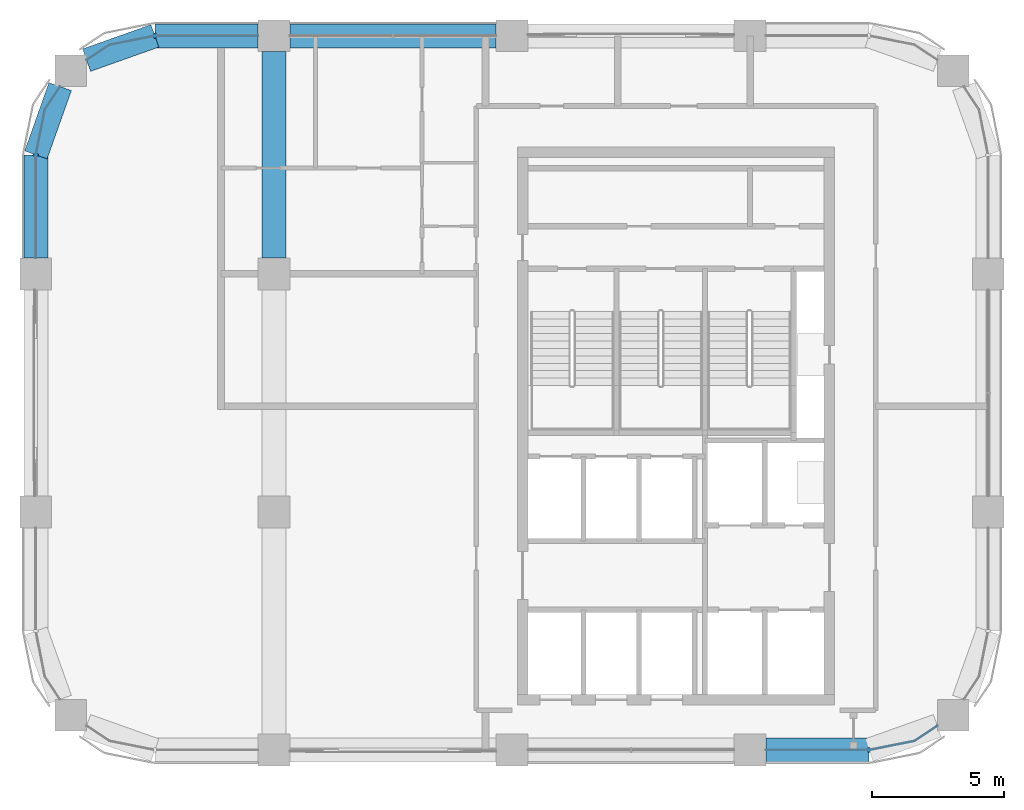
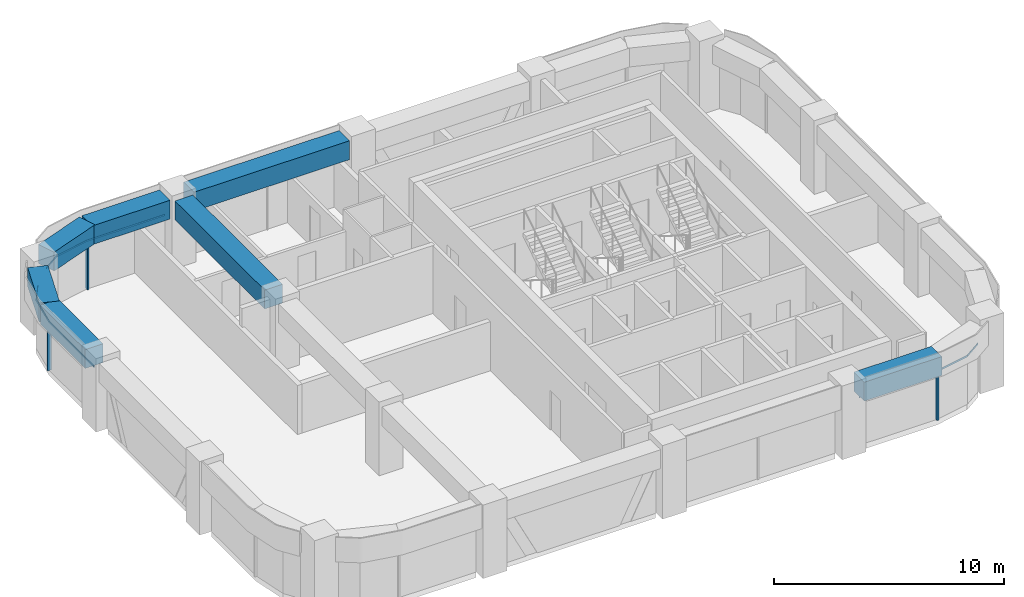
# One storey, part 3 of 10: 7 beams, 6 members, 3 elements without a shape of their own.
"""IFC4 building model written with IfcOpenShell, lengths in metres."""

from ifc_helpers import new_model, si_unit, direction, frame, origin, origin_2d, place, context, subcontext, project, spatial, polyline, rectangle, outline, extrude, material, material_profile, profile_set, type_object, element, aggregate, save


model = new_model("IFC4")

# Units and contexts
model_context = context("Model", 3, precision=1e-05, world=origin(), true_north=direction((0.0, 1.0)))
body_context = subcontext(model_context, "Body", "Model", "MODEL_VIEW")
ifc_project = project(units=[si_unit("LENGTHUNIT", "METRE"), si_unit("AREAUNIT", "SQUARE_METRE"), si_unit("VOLUMEUNIT", "CUBIC_METRE"), si_unit("PLANEANGLEUNIT", "RADIAN"), si_unit("MASSUNIT", "GRAM", prefix="KILO")], contexts=[model_context])

# Site, building, storey
site_placement = place(None, origin())
site = spatial("IfcSite", under=ifc_project, at=site_placement, CompositionType="ELEMENT")
building_placement = place(site_placement, origin())
building = spatial("IfcBuilding", under=site, at=building_placement, Name="Tessera Arch", CompositionType="ELEMENT")
storey_placement = place(building_placement, frame((0.0, 0.0, 261.800048828125)))
storey = spatial("IfcBuildingStorey", under=building, at=storey_placement, Name="L63", CompositionType="ELEMENT", Elevation=261.800048828125)

# Curtain wall, member
ifc_material_1 = material(Name="CW2 curtain wall")
curtain_wall_type = type_object("IfcCurtainWallType", Name="CW2 curtain wall", PredefinedType="NOTDEFINED", material=ifc_material_1)
curtain_wall_1_placement = place(storey_placement, origin())
curtain_wall_1 = element("IfcCurtainWall", 1, at=curtain_wall_1_placement, inside=storey, type_object=curtain_wall_type, Name="CW2 curtain wall N54.18/3 L63", PredefinedType="NOTDEFINED")
ifc_material_2 = material(Name="Anodised aluminium pale metal", Category="aluminium")
ifc_material_profile_1 = material_profile(ifc_material_2, rectangle(XDim=0.199951171875, YDim=0.080078125, at=origin_2d()), Name="AL 80x200")
ifc_profile_set_1 = profile_set([ifc_material_profile_1], Name="Anodised aluminium pale metal")
member_type_1 = type_object("IfcMemberType", Name="CW2 mullion", PredefinedType="MULLION", material=ifc_profile_set_1)
member_1_placement = place(storey_placement, frame((22.5, 54.0, 0.0), z_axis=(0.0, 0.0, 1.0), x_axis=(0.0, -1.0, 0.0)))
member_1 = element("IfcMember", 2, at=member_1_placement, type_object=member_type_1, Name="CW2 mullion N54.18/3 1", PredefinedType="MULLION", context=body_context, shape_type="SweptSolid", body=[
    extrude(rectangle(XDim=0.199951171875, YDim=0.080078125, at=origin_2d()), origin(), (0.0, 0.0, 1.0), 2.5),
])

curtain_wall_2_placement = place(storey_placement, origin())
curtain_wall_2 = element("IfcCurtainWall", 3, at=curtain_wall_2_placement, inside=storey, type_object=curtain_wall_type, Name="CW2 curtain wall W18.27/0 L63", PredefinedType="NOTDEFINED")
member_2_placement = place(storey_placement, frame((18.0, 49.5, 0.0), z_axis=(0.0, 0.0, 1.0), x_axis=(1.0, 0.0, 0.0)))
member_2 = element("IfcMember", 4, at=member_2_placement, type_object=member_type_1, Name="CW2 mullion W18.27/0 1", PredefinedType="MULLION", context=body_context, shape_type="SweptSolid", body=[
    extrude(rectangle(XDim=0.199951171875, YDim=0.080078125, at=origin_2d()), origin(), (0.0, 0.0, 1.0), 2.5),
])

curtain_wall_3_placement = place(storey_placement, origin())
curtain_wall_3 = element("IfcCurtainWall", 5, at=curtain_wall_3_placement, inside=storey, type_object=curtain_wall_type, Name="CW2 curtain wall S27.18/3 L63", PredefinedType="NOTDEFINED")
member_3_placement = place(storey_placement, frame((49.5, 27.0, 0.0), z_axis=(0.0, 0.0, 1.0), x_axis=(0.0, 1.0, 0.0)))
member_3 = element("IfcMember", 6, at=member_3_placement, type_object=member_type_1, Name="CW2 mullion S27.18/3 1", PredefinedType="MULLION", context=body_context, shape_type="SweptSolid", body=[
    extrude(rectangle(XDim=0.199951171875, YDim=0.080078125, at=origin_2d()), origin(), (0.0, 0.0, 1.0), 2.5),
])

# Member
ifc_material_3 = material(Name="Anodised aluminium pale metal", Category="aluminium")
ifc_material_profile_2 = material_profile(ifc_material_3, rectangle(XDim=0.199951171875, YDim=0.10009765625, at=origin_2d()), Name="AL 200x100")
ifc_profile_set_2 = profile_set([ifc_material_profile_2], Name="Anodised aluminium pale metal")
member_type_2 = type_object("IfcMemberType", Name="CW2 transom", PredefinedType="USERDEFINED", material=ifc_profile_set_2)
member_4_placement = place(storey_placement, frame((0.0, 0.0, 2.5)))
member_4 = element("IfcMember", 7, at=member_4_placement, type_object=member_type_2, Name="CW2 transom N54.18/3 1", ObjectType="TRANSOM", PredefinedType="USERDEFINED", context=body_context, shape_type="SweptSolid", body=[
    extrude(outline(polyline([(22.5009765625, 53.989990234375), (26.39990234375, 53.989990234375), (26.39990234375, 54.010009765625), (22.4990234375, 54.010009765625), (20.77392578125, 53.6669921875), (19.912353515625, 53.09130859375), (19.923583984375, 53.07470703125), (20.78173828125, 53.648193359375), (22.5009765625, 53.989990234375)])), origin(), (0.0, 0.0, 1.0), 0.099853515625),
])

aggregate(curtain_wall_1, [member_1, member_4])

member_5_placement = place(storey_placement, frame((0.0, 0.0, 2.5)))
member_5 = element("IfcMember", 8, at=member_5_placement, type_object=member_type_2, Name="CW2 transom W18.27/0 1", ObjectType="TRANSOM", PredefinedType="USERDEFINED", context=body_context, shape_type="SweptSolid", body=[
    extrude(outline(polyline([(18.351806640625, 51.21826171875), (18.92529296875, 52.076416015625), (18.90869140625, 52.087646484375), (18.3330078125, 51.22607421875), (17.989990234375, 49.5009765625), (17.989990234375, 45.60009765625), (18.010009765625, 45.60009765625), (18.010009765625, 49.4990234375), (18.351806640625, 51.21826171875)])), origin(), (0.0, 0.0, 1.0), 0.099853515625),
])

aggregate(curtain_wall_2, [member_2, member_5])

member_6_placement = place(storey_placement, frame((0.0, 0.0, 2.5)))
member_6 = element("IfcMember", 9, at=member_6_placement, type_object=member_type_2, Name="CW2 transom S27.18/3 1", ObjectType="TRANSOM", PredefinedType="USERDEFINED", context=body_context, shape_type="SweptSolid", body=[
    extrude(outline(polyline([(49.4990234375, 27.010009765625), (45.60009765625, 27.010009765625), (45.60009765625, 26.989990234375), (49.5009765625, 26.989990234375), (51.22607421875, 27.3330078125), (52.087646484375, 27.90869140625), (52.076416015625, 27.92529296875), (51.21826171875, 27.351806640625), (49.4990234375, 27.010009765625)])), origin(), (0.0, 0.0, 1.0), 0.099853515625),
])

aggregate(curtain_wall_3, [member_3, member_6])

# Beams
ifc_material_4 = material(Name="Concrete C60/75", Category="concrete")
ifc_material_profile_3 = material_profile(ifc_material_4, rectangle(XDim=0.89990234375, YDim=1.0, at=origin_2d()), Name="RC spandrel beam 900 x 1000 Concrete C60/75")
ifc_profile_set_3 = profile_set([ifc_material_profile_3], Name="Concrete C60/75")
beam_type = type_object("IfcBeamType", Name="RC spandrel beam 900 x 1000 Concrete C60/75", PredefinedType="BEAM", material=ifc_profile_set_3)
beam_1_placement = place(storey_placement, frame((35.39990234375, 54.0, 3.099853515625), z_axis=(-1.0, 0.0, 0.0), x_axis=(0.0, -1.0, 0.0)))
element("IfcBeam", 10, at=beam_1_placement, inside=storey, type_object=beam_type, Name="Spandrel beam L63 N54.18/2", PredefinedType="BEAM", context=body_context, shape_type="SweptSolid", body=[
    extrude(rectangle(XDim=0.89990234375, YDim=1.0, at=origin_2d()), origin(), (0.0, 0.0, 1.0), 7.7998046875),
])
beam_2_placement = place(storey_placement, frame((26.39990234375, 54.0, 3.099853515625), z_axis=(-1.0, 0.0, 0.0), x_axis=(0.0, -1.0, 0.0)))
element("IfcBeam", 11, at=beam_2_placement, inside=storey, type_object=beam_type, Name="Spandrel beam L63 N54.18/3.1", PredefinedType="BEAM", context=body_context, shape_type="SweptSolid", body=[
    extrude(rectangle(XDim=0.89990234375, YDim=1.0, at=origin_2d()), origin(), (0.0, 0.0, 1.0), 3.89990234375),
])
for number, where, z_axis, x_axis, name in (
    (12, (22.5, 54.0, 3.099853515625), (-0.942337127159, -0.334665114373, 0.0), (0.334665114373, -0.942337127159, 0.0), "Spandrel beam L63 N54.18/3.2"),
    (13, (18.9169921875, 52.08203125, 3.099853515625), (-0.334665114373, -0.942337127159, 0.0), (0.942337127159, -0.334665114373, 0.0), "Spandrel beam L63 W18.27/0.1"),
):
    element("IfcBeam", number, at=place(storey_placement, frame(where, z_axis=z_axis, x_axis=x_axis)), inside=storey, type_object=beam_type, Name=name, PredefinedType="BEAM", context=body_context, shape_type="SweptSolid", body=[
        extrude(rectangle(XDim=0.89990234375, YDim=1.0, at=origin_2d()), origin(), (0.0, 0.0, 1.0), 2.739990234375),
    ])
for number, where, z_axis, x_axis, name in (
    (14, (18.0, 49.5, 3.099853515625), (0.0, -1.0, 0.0), (1.0, 0.0, 0.0), "Spandrel beam L63 W18.27/0.2"),
    (15, (45.60009765625, 27.0, 3.099853515625), (1.0, 0.0, 0.0), (0.0, 1.0, 0.0), "Spandrel beam L63 S27.18/3.1"),
):
    element("IfcBeam", number, at=place(storey_placement, frame(where, z_axis=z_axis, x_axis=x_axis)), inside=storey, type_object=beam_type, Name=name, PredefinedType="BEAM", context=body_context, shape_type="SweptSolid", body=[
        extrude(rectangle(XDim=0.89990234375, YDim=1.0, at=origin_2d()), origin(), (0.0, 0.0, 1.0), 3.89990234375),
    ])
beam_3_placement = place(storey_placement, frame((27.0, 45.60009765625, 3.099853515625), z_axis=(0.0, 1.0, 0.0), x_axis=(-1.0, 0.0, 0.0)))
element("IfcBeam", 16, at=beam_3_placement, inside=storey, type_object=beam_type, Name="Interface beam L63 I0C4F-C4G", PredefinedType="BEAM", context=body_context, shape_type="SweptSolid", body=[
    extrude(rectangle(XDim=0.89990234375, YDim=1.0, at=origin_2d()), origin(), (0.0, 0.0, 1.0), 7.7998046875),
])

save(model, "model.ifc")
